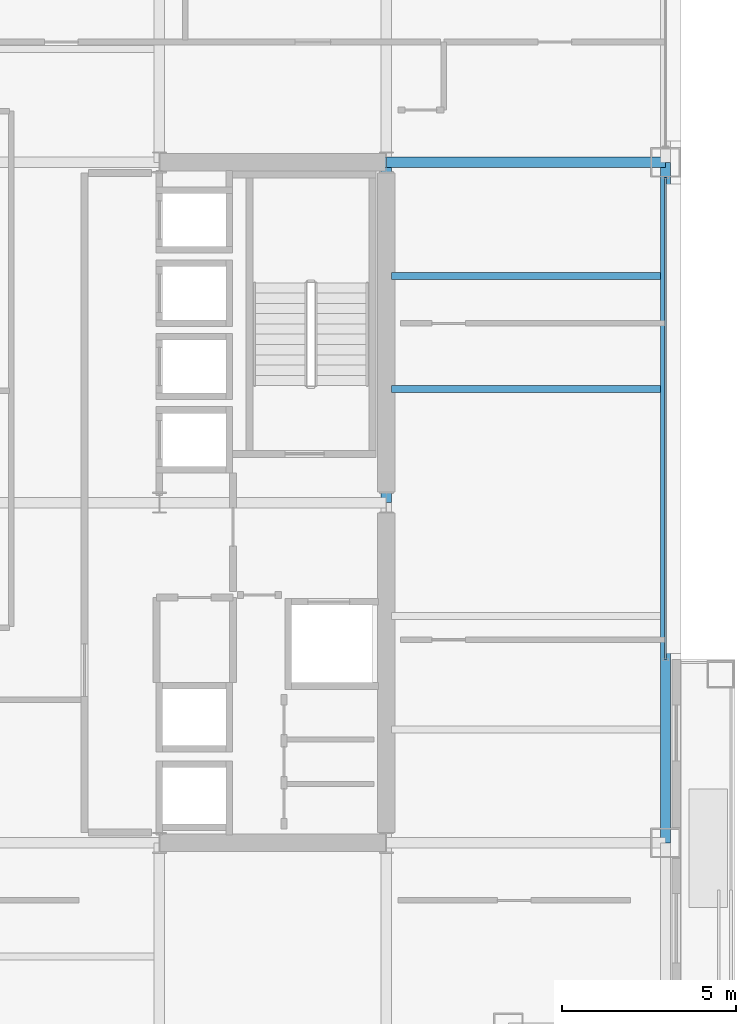
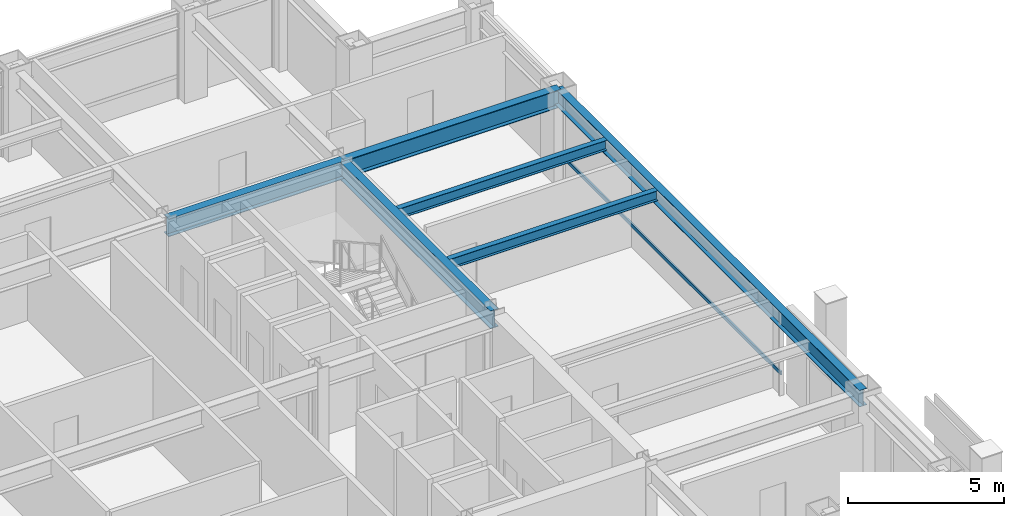
# One storey, part 16 of 31: 6 beams, 1 member, 1 element without a shape of its own.
"""IFC4 building model written with IfcOpenShell, lengths in metres."""

import ifcopenshell
import ifcopenshell.guid

model = None  # the IFC model being written
_history = None  # IfcOwnerHistory: only IFC2X3 demands one
_inside = {}  # id of a spatial element -> (the spatial element, [elements in it])
_under = {}  # id of a project, library or spatial element -> (it, [spatial elements below it])
_declared = {}  # id of a project -> (the project, [libraries it declares])
_typed = {}  # id of a type object -> (the type object, [elements of that type])
_made_of = {}  # id of a material, layer set ... -> (it, [elements and type objects made of it])


def new_model(schema):
    """Start an empty IFC model of exactly this schema.

    Asked for "IFC4X3", IfcOpenShell would pick the latest addendum, in which some entities
    have other attributes; the version numbers below select the first issue.
    IFC2X3 requires an IfcOwnerHistory on every rooted entity: one is made here for all.
    """
    global model, _history
    if schema == "IFC4X3":
        model = ifcopenshell.file(schema_version=(4, 3, 0, 0))
    else:
        model = ifcopenshell.file(schema=schema)
    _inside.clear()
    _under.clear()
    _declared.clear()
    _typed.clear()
    _made_of.clear()
    _history = None
    if model.schema == "IFC2X3":
        org = make("IfcOrganization", Name="unknown")
        user = make(
            "IfcPersonAndOrganization",
            ThePerson=make("IfcPerson", FamilyName="unknown"),
            TheOrganization=org,
        )
        app = make(
            "IfcApplication",
            ApplicationDeveloper=org,
            Version="unknown",
            ApplicationFullName="unknown",
            ApplicationIdentifier="unknown",
        )
        _history = make(
            "IfcOwnerHistory",
            OwningUser=user,
            OwningApplication=app,
            ChangeAction="ADDED",
            CreationDate=0,
        )
    return model


def make(cls, **values):
    """One entity of the class cls with the attributes given. An attribute that is None is left unset."""
    return model.create_entity(
        cls, **{name: value for name, value in values.items() if value is not None}
    )


def rooted(cls, **values):
    """An entity with a GlobalId (a new one), such as an element, a storey or a relation."""
    return make(cls, GlobalId=ifcopenshell.guid.new(), OwnerHistory=_history, **values)


def si_unit(unit_type, name, prefix=None):
    """IfcSIUnit, for example si_unit("LENGTHUNIT", "METRE", prefix="MILLI")."""
    return make("IfcSIUnit", UnitType=unit_type, Prefix=prefix, Name=name)


def assignment(units):
    """IfcUnitAssignment: the units of a project."""
    return None if units is None else make("IfcUnitAssignment", Units=units)


def point(xyz):
    """IfcCartesianPoint."""
    return None if xyz is None else make("IfcCartesianPoint", Coordinates=xyz)


def direction(xyz):
    """IfcDirection."""
    return None if xyz is None else make("IfcDirection", DirectionRatios=xyz)


def frame(location, z_axis=None, x_axis=None):
    """IfcAxis2Placement3D, a coordinate frame: its origin and axes. An axis left out is left unset."""
    return make(
        "IfcAxis2Placement3D",
        Location=point(location),
        Axis=direction(z_axis),
        RefDirection=direction(x_axis),
    )


def frame_2d(location, x_axis=None):
    """IfcAxis2Placement2D, a coordinate frame in the plane: its origin and x axis."""
    return make(
        "IfcAxis2Placement2D", Location=point(location), RefDirection=direction(x_axis)
    )


def origin():
    """The frame at (0, 0, 0) with its axes left unset."""
    return frame((0.0, 0.0, 0.0))


def origin_2d():
    """The frame at (0, 0) in the plane with its x axis left unset."""
    return frame_2d((0.0, 0.0))


def place(relative_to, where):
    """IfcLocalPlacement: puts the frame where relative to a parent placement (None: the world)."""
    return make(
        "IfcLocalPlacement", PlacementRelTo=relative_to, RelativePlacement=where
    )


def context(
    kind, dimensions, precision=None, world=None, true_north=None, identifier=None
):
    """IfcGeometricRepresentationContext, for example the 3D "Model" context."""
    return make(
        "IfcGeometricRepresentationContext",
        ContextIdentifier=identifier,
        ContextType=kind,
        CoordinateSpaceDimension=dimensions,
        Precision=precision,
        WorldCoordinateSystem=world,
        TrueNorth=true_north,
    )


def subcontext(parent, identifier, kind, view, scale=None):
    """IfcGeometricRepresentationSubContext, for example "Body" below "Model"."""
    return make(
        "IfcGeometricRepresentationSubContext",
        ContextIdentifier=identifier,
        ContextType=kind,
        ParentContext=parent,
        TargetScale=scale,
        TargetView=view,
    )


def project(units=None, contexts=None):
    """IfcProject with its units and contexts."""
    return rooted(
        "IfcProject",
        Name="project",
        RepresentationContexts=contexts,
        UnitsInContext=assignment(units),
    )


def spatial(cls, under=None, at=None, **own):
    """A site, building, storey or space (cls), placed at a placement, below another one or the project."""
    s = rooted(cls, ObjectPlacement=at, **own)
    if under is not None:
        _under.setdefault(under.id(), (under, []))[1].append(s)
    return s


def profile(cls, at=None, kind="AREA", **sizes):
    """A parametric profile (cls). Its sizes go by their IFC names, for example OverallWidth=200.0."""
    return make(cls, ProfileType=kind, Position=at, **sizes)


def hollow_rectangle(**sizes):
    """IfcRectangleHollowProfileDef."""
    return profile("IfcRectangleHollowProfileDef", **sizes)


def i_section(**sizes):
    """IfcIShapeProfileDef."""
    return profile("IfcIShapeProfileDef", **sizes)


def extrude(swept, where, along, depth):
    """IfcExtrudedAreaSolid: the profile swept, set in the frame where, extruded along a direction by depth."""
    return make(
        "IfcExtrudedAreaSolid",
        SweptArea=swept,
        Position=where,
        ExtrudedDirection=direction(along),
        Depth=depth,
    )


def shape(context_of_items, identifier, shape_type, items):
    """IfcShapeRepresentation: the items that make up one representation, for example the "Body"."""
    return make(
        "IfcShapeRepresentation",
        ContextOfItems=context_of_items,
        RepresentationIdentifier=identifier,
        RepresentationType=shape_type,
        Items=items,
    )


def material(Name=None, Category=None):
    """IfcMaterial."""
    return make("IfcMaterial", Name=Name, Category=Category)


def layer(
    of_material, thickness, ventilated=None, Name=None, Category=None, Priority=None
):
    """IfcMaterialLayer: one layer of a wall or slab, of a material (None: an air gap)."""
    return make(
        "IfcMaterialLayer",
        Material=of_material,
        LayerThickness=thickness,
        IsVentilated=ventilated,
        Name=Name,
        Category=Category,
        Priority=Priority,
    )


def layer_set(layers, Name=None):
    """IfcMaterialLayerSet."""
    return make("IfcMaterialLayerSet", MaterialLayers=layers, LayerSetName=Name)


def material_profile(
    of_material, cross_section, Name=None, Category=None, Priority=None
):
    """IfcMaterialProfile: a cross section and its material."""
    return make(
        "IfcMaterialProfile",
        Name=Name,
        Material=of_material,
        Profile=cross_section,
        Priority=Priority,
        Category=Category,
    )


def profile_set(profiles, Name=None, composite=None):
    """IfcMaterialProfileSet."""
    return make(
        "IfcMaterialProfileSet",
        Name=Name,
        MaterialProfiles=profiles,
        CompositeProfile=composite,
    )


def made_of(thing, what):
    """Note that an element or type object is made of a material, layer set ...; save() writes the relation."""
    if what is not None:
        _made_of.setdefault(what.id(), (what, []))[1].append(thing)
    return thing


def type_object(cls, material=None, **own):
    """A type object (cls), such as IfcWallType, which elements share."""
    return made_of(rooted(cls, **own), material)


def element(
    cls,
    number,
    at=None,
    inside=None,
    cuts=None,
    type_object=None,
    material=None,
    context=None,
    identifier="Body",
    shape_type=None,
    held_by="IfcProductDefinitionShape",
    body=None,
    shapes=None,
    **own,
):
    """One element of the class cls, such as IfcWall. Its Tag is "e" and its number.

    at: its placement. inside: the storey or other place that contains it. cuts: it is an
    opening in that element (IfcRelVoidsElement). A single representation is given by context,
    identifier, shape_type and body (its items); several are given by shapes. held_by: the class
    of the entity that holds the representations. save() writes the other relations.
    """
    e = rooted(cls, Tag="e%d" % number, ObjectPlacement=at, **own)
    if body is not None:
        shapes = [shape(context, identifier, shape_type, body)]
    if shapes is not None:
        e.Representation = make(held_by, Representations=shapes)
    if inside is not None:
        _inside.setdefault(inside.id(), (inside, []))[1].append(e)
    if cuts is not None:
        rooted(
            "IfcRelVoidsElement", RelatingBuildingElement=cuts, RelatedOpeningElement=e
        )
    if type_object is not None:
        _typed.setdefault(type_object.id(), (type_object, []))[1].append(e)
    return made_of(e, material)


def aggregate(whole, parts):
    """IfcRelAggregates: a whole, such as a stair, and the parts it consists of."""
    return rooted("IfcRelAggregates", RelatingObject=whole, RelatedObjects=parts)


def save(model, path):
    """Write the relations noted so far, then the file.

    IfcRelAggregates (storeys below a building ...), IfcRelContainedInSpatialStructure (elements
    in a storey), IfcRelDefinesByType, IfcRelAssociatesMaterial and IfcRelDeclares: one each for
    every whole, place, type object, material and project.
    """
    for whole, parts in _under.values():
        aggregate(whole, parts)
    for where, things in _inside.values():
        rooted(
            "IfcRelContainedInSpatialStructure",
            RelatedElements=things,
            RelatingStructure=where,
        )
    for kind, things in _typed.values():
        rooted("IfcRelDefinesByType", RelatedObjects=things, RelatingType=kind)
    for what, things in _made_of.values():
        rooted("IfcRelAssociatesMaterial", RelatedObjects=things, RelatingMaterial=what)
    for by, libraries in _declared.values():
        rooted("IfcRelDeclares", RelatingContext=by, RelatedDefinitions=libraries)
    model.write(path)


model = new_model("IFC4")

# Units and contexts
model_context = context("Model", 3, precision=1e-05, world=origin(), true_north=direction((0.0, 1.0)))
body_context = subcontext(model_context, "Body", "Model", "MODEL_VIEW")
ifc_project = project(units=[si_unit("LENGTHUNIT", "METRE"), si_unit("AREAUNIT", "SQUARE_METRE"), si_unit("VOLUMEUNIT", "CUBIC_METRE"), si_unit("PLANEANGLEUNIT", "RADIAN"), si_unit("MASSUNIT", "GRAM", prefix="KILO")], contexts=[model_context])

# Site, building, storey
site_placement = place(None, origin())
site = spatial("IfcSite", under=ifc_project, at=site_placement, CompositionType="ELEMENT")
building_placement = place(site_placement, origin())
building = spatial("IfcBuilding", under=site, at=building_placement, Name="Brelmoor Portico Tower", CompositionType="ELEMENT")
storey_placement = place(building_placement, frame((0.0, 0.0, 106.199951171875)))
storey = spatial("IfcBuildingStorey", under=building, at=storey_placement, Name="L27", CompositionType="ELEMENT", Elevation=106.199951171875)

# Beams
ifc_material_1 = material(Name="Steel Q355B", Category="steel")
ifc_material_profile_1 = material_profile(ifc_material_1, i_section(OverallWidth=0.199951171875, OverallDepth=0.39990234375, WebThickness=0.008056640625, FlangeThickness=0.012939453125, at=origin_2d()), Name="HN 400x200x8x13")
ifc_profile_set_1 = profile_set([ifc_material_profile_1], Name="Steel Q355B")
beam_type_1 = type_object("IfcBeamType", Name="BM-JS-400", PredefinedType="JOIST", material=ifc_profile_set_1)
for number, where, z_axis, x_axis, name in (
    (1, (14.699951171875, 3.25, 3.199951171875), (1.0, 0.0, 0.0), (0.0, 1.0, 0.0), "L27 Secondary Wing Joist JS-E11"),
    (2, (14.699951171875, 6.5, 3.199951171875), (1.0, 0.0, 0.0), (0.0, 1.0, 0.0), "L27 Secondary Wing Joist JS-E12"),
):
    element("IfcBeam", number, at=place(storey_placement, frame(where, z_axis=z_axis, x_axis=x_axis)), inside=storey, type_object=beam_type_1, Name=name, PredefinedType="JOIST", context=body_context, shape_type="SweptSolid", body=[
        extrude(i_section(OverallWidth=0.199951171875, OverallDepth=0.39990234375, WebThickness=0.008056640625, FlangeThickness=0.012939453125, at=origin_2d()), origin(), (0.0, 0.0, 1.0), 7.7099609375),
    ])
ifc_material_profile_2 = material_profile(ifc_material_1, i_section(OverallWidth=0.300048828125, OverallDepth=0.699951171875, WebThickness=0.012939453125, FlangeThickness=0.02392578125, at=origin_2d()), Name="HN 700x300x13x24")
ifc_profile_set_2 = profile_set([ifc_material_profile_2], Name="Steel Q355B")
beam_type_2 = type_object("IfcBeamType", Name="BM-PG-700", PredefinedType="BEAM", material=ifc_profile_set_2)
beam_1_placement = place(storey_placement, frame((14.550048828125, 0.0, 3.050048828125), z_axis=(0.0, 1.0, 0.0), x_axis=(-1.0, 0.0, 0.0)))
element("IfcBeam", 3, at=beam_1_placement, inside=storey, type_object=beam_type_2, Name="L27 Primary Floor Girder PG-12", PredefinedType="BEAM", context=body_context, shape_type="SweptSolid", body=[
    extrude(i_section(OverallWidth=0.300048828125, OverallDepth=0.699951171875, WebThickness=0.012939453125, FlangeThickness=0.02392578125, at=origin_2d()), origin(), (0.0, 0.0, 1.0), 9.75),
])
beam_2_placement = place(storey_placement, frame((8.050048828125, 9.75, 3.050048828125), z_axis=(1.0, 0.0, 0.0), x_axis=(0.0, 1.0, 0.0)))
element("IfcBeam", 4, at=beam_2_placement, inside=storey, type_object=beam_type_2, Name="L27 Primary Floor Girder PG-25", PredefinedType="BEAM", context=body_context, shape_type="SweptSolid", body=[
    extrude(i_section(OverallWidth=0.300048828125, OverallDepth=0.699951171875, WebThickness=0.012939453125, FlangeThickness=0.02392578125, at=origin_2d()), origin(), (0.0, 0.0, 1.0), 6.5),
])
beam_3_placement = place(storey_placement, frame((14.550048828125, 9.75, 3.050048828125), z_axis=(1.0, 0.0, 0.0), x_axis=(0.0, 1.0, 0.0)))
element("IfcBeam", 5, at=beam_3_placement, inside=storey, type_object=beam_type_2, Name="L27 Primary Floor Girder PG-26", PredefinedType="BEAM", context=body_context, shape_type="SweptSolid", body=[
    extrude(i_section(OverallWidth=0.300048828125, OverallDepth=0.699951171875, WebThickness=0.012939453125, FlangeThickness=0.02392578125, at=origin_2d()), origin(), (0.0, 0.0, 1.0), 8.0),
])
ifc_material_profile_3 = material_profile(ifc_material_1, i_section(OverallWidth=0.280029296875, OverallDepth=0.64990234375, WebThickness=0.012939453125, FlangeThickness=0.02197265625, at=origin_2d()), Name="HN 650x280x13x22")
ifc_profile_set_3 = profile_set([ifc_material_profile_3], Name="Steel Q355B")
beam_type_3 = type_object("IfcBeamType", Name="BM-SP-650", PredefinedType="SPANDREL", material=ifc_profile_set_3)
beam_4_placement = place(storey_placement, frame((22.550048828125, -9.75, 3.074951171875), z_axis=(0.0, 1.0, 0.0), x_axis=(-1.0, 0.0, 0.0)))
element("IfcBeam", 6, at=beam_4_placement, inside=storey, type_object=beam_type_3, Name="L27 Perimeter Spandrel Beam SP-23", PredefinedType="SPANDREL", context=body_context, shape_type="SweptSolid", body=[
    extrude(i_section(OverallWidth=0.280029296875, OverallDepth=0.64990234375, WebThickness=0.012939453125, FlangeThickness=0.02197265625, at=origin_2d()), origin(), (0.0, 0.0, 1.0), 19.5),
])

# Curtain wall, member
ifc_material_2 = material(Name="Anodised Aluminium Alloy 6063-T6", Category="aluminium")
ifc_layer = layer(ifc_material_2, 0.179931640625)
ifc_layer_set = layer_set([ifc_layer], Name="Anodised Aluminium Alloy 6063-T6")
curtain_wall_type = type_object("IfcCurtainWallType", Name="CW-TOWER-Z2", PredefinedType="NOTDEFINED", material=ifc_layer_set)
curtain_wall_placement = place(storey_placement, origin())
curtain_wall = element("IfcCurtainWall", 7, at=curtain_wall_placement, inside=storey, type_object=curtain_wall_type, Name="L27 Curtain Wall CW-L27-4R-1", PredefinedType="NOTDEFINED")
ifc_material_profile_4 = material_profile(ifc_material_2, hollow_rectangle(XDim=0.06494140625, YDim=0.139892578125, WallThickness=0.00390625, at=origin_2d()), Name="ALU TRANSOM 65x140")
ifc_profile_set_4 = profile_set([ifc_material_profile_4], Name="Anodised Aluminium Alloy 6063-T6")
member_type = type_object("IfcMemberType", Name="MB-CW-TRAN-140", PredefinedType="USERDEFINED", material=ifc_profile_set_4)
member_placement = place(storey_placement, frame((22.550048828125, -4.5, 0.85009765625), z_axis=(0.0, 1.0, 0.0), x_axis=(-1.0, 0.0, 0.0)))
member = element("IfcMember", 8, at=member_placement, type_object=member_type, Name="CW-L27-4R-1 Transom 1-00", ObjectType="TRANSOM", PredefinedType="USERDEFINED", context=body_context, shape_type="SweptSolid", body=[
    extrude(hollow_rectangle(XDim=0.06494140625, YDim=0.139892578125, WallThickness=0.00390625, at=origin_2d()), origin(), (0.0, 0.0, 1.0), 13.81494140625),
])
aggregate(curtain_wall, [member])

save(model, "model.ifc")
